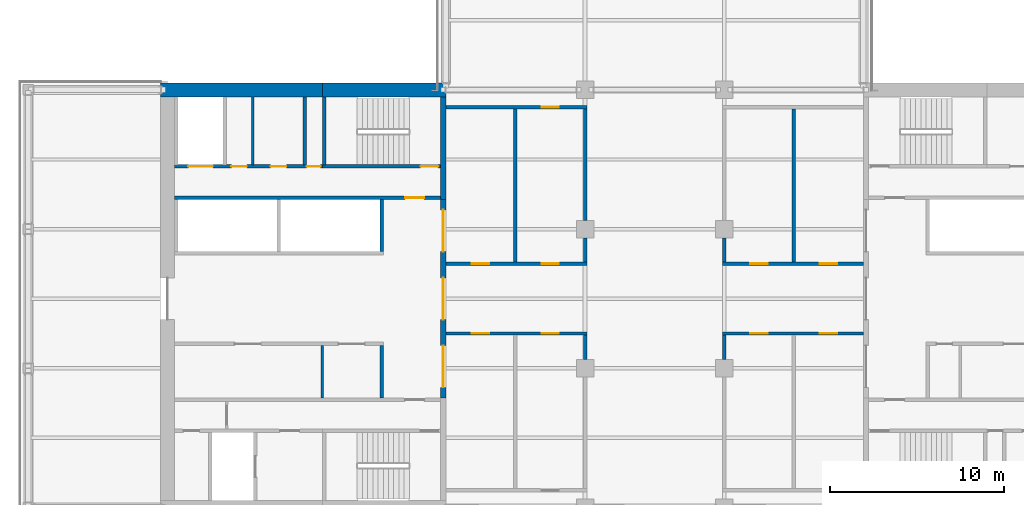
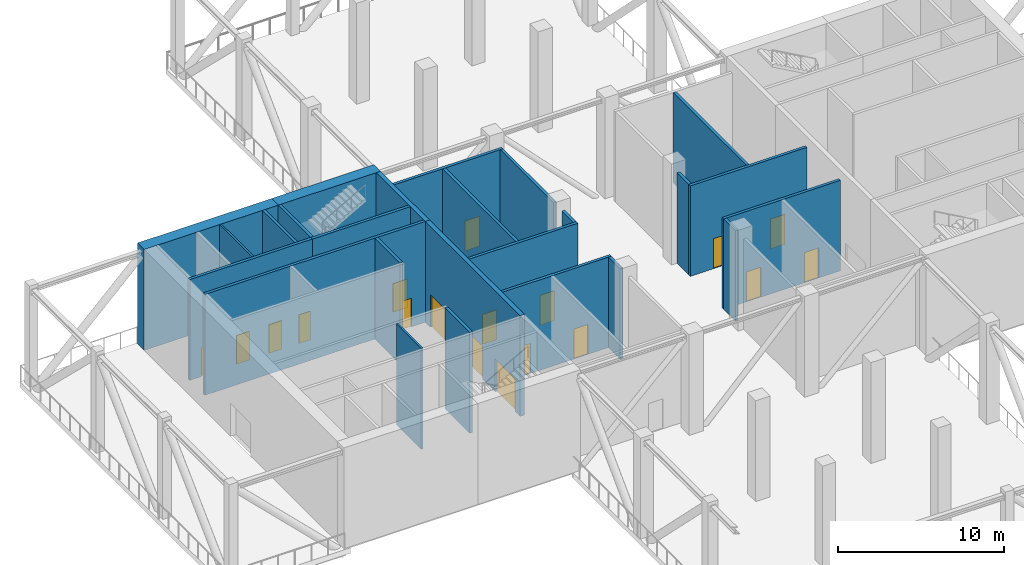
# One storey, part 5 of 18: 25 walls, 18 doors, 18 openings.
"""IFC4 building model written with IfcOpenShell, lengths in metres."""

from ifc_helpers import new_model, si_unit, direction, frame, frame_2d, origin, place, context, subcontext, project, spatial, rectangle, extrude, material, layer, layer_set, constituent, constituent_set, type_object, element, fill, save


model = new_model("IFC4")

# Units and contexts
model_context = context("Model", 3, precision=1e-05, world=origin(), true_north=direction((0.0, 1.0)))
body_context = subcontext(model_context, "Body", "Model", "MODEL_VIEW")
ifc_project = project(units=[si_unit("LENGTHUNIT", "METRE"), si_unit("AREAUNIT", "SQUARE_METRE"), si_unit("VOLUMEUNIT", "CUBIC_METRE"), si_unit("PLANEANGLEUNIT", "RADIAN"), si_unit("MASSUNIT", "GRAM", prefix="KILO")], contexts=[model_context])

# Site, building, storey
site_placement = place(None, origin())
site = spatial("IfcSite", under=ifc_project, at=site_placement, CompositionType="ELEMENT")
building_placement = place(site_placement, origin())
building = spatial("IfcBuilding", under=site, at=building_placement, Name="Crosswind Convention Tower", CompositionType="ELEMENT")
storey_placement = place(building_placement, frame((0.0, 0.0, 105.300048828125)))
storey = spatial("IfcBuildingStorey", under=building, at=storey_placement, Name="L21", CompositionType="ELEMENT", Elevation=105.300048828125)

# Wall
ifc_material_1 = material(Name="Concrete blockwork", Category="masonry")
ifc_layer_1 = layer(ifc_material_1, 0.199951171875)
ifc_layer_set_1 = layer_set([ifc_layer_1], Name="Blockwork partition wall 200")
wall_type_1 = type_object("IfcWallType", Name="Blockwork partition wall 200", PredefinedType="PARTITIONING", material=ifc_layer_set_1)
wall_1_placement = place(storey_placement, frame((104.89990234375, 111.60009765625, 0.0), z_axis=(0.0, 0.0, 1.0), x_axis=(0.0, -1.0, 0.0)))
element("IfcWall", 1, at=wall_1_placement, inside=storey, type_object=wall_type_1, Name="Wall MRSE W L21", PredefinedType="PARTITIONING", context=body_context, shape_type="SweptSolid", body=[
    extrude(rectangle(XDim=3.900146484375, YDim=0.199951171875, at=frame_2d((1.9501953125, 0.0))), origin(), (0.0, 0.0, 1.0), 7.39990234375),
])

# Wall, openings, doors
ifc_layer_2 = layer(ifc_material_1, 0.199951171875)
ifc_layer_set_2 = layer_set([ifc_layer_2], Name="COMPARTMENT WALL 200")
wall_type_2 = type_object("IfcWallType", Name="COMPARTMENT WALL 200", PredefinedType="SOLIDWALL", material=ifc_layer_set_2)
wall_2_placement = place(storey_placement, frame((113.0, 98.0, 0.0), z_axis=(0.0, 0.0, 1.0), x_axis=(1.0, 0.0, 0.0)))
wall_2 = element("IfcWall", 2, at=wall_2_placement, inside=storey, type_object=wall_type_2, Name="Compartment Wall 3", PredefinedType="SOLIDWALL", context=body_context, shape_type="SweptSolid", body=[
    extrude(rectangle(XDim=8.10009765625, YDim=0.199951171875, at=frame_2d((4.050048828125, 0.0))), origin(), (0.0, 0.0, 1.0), 6.6396484375),
])
opening_1_placement = place(wall_2_placement, frame((1.5, 0.0, 0.0)))
opening_1 = element("IfcOpeningElement", 3, at=opening_1_placement, cuts=wall_2, Name="Opening 21.005", PredefinedType="OPENING", context=body_context, shape_type="SweptSolid", body=[
    extrude(rectangle(XDim=1.0, YDim=2.199951171875, at=frame_2d((0.5, 1.10009765625))), frame((0.0, 0.10986328125, 0.0), z_axis=(0.0, -1.0, 0.0), x_axis=(1.0, 0.0, 0.0)), (0.0, 0.0, 1.0), 0.219970703125),
])
opening_2_placement = place(wall_2_placement, frame((5.5, 0.0, 0.0)))
opening_2 = element("IfcOpeningElement", 4, at=opening_2_placement, cuts=wall_2, Name="Opening 21.006", PredefinedType="OPENING", context=body_context, shape_type="SweptSolid", body=[
    extrude(rectangle(XDim=1.0, YDim=2.199951171875, at=frame_2d((0.5, 1.10009765625))), frame((0.0, 0.10986328125, 0.0), z_axis=(0.0, -1.0, 0.0), x_axis=(1.0, 0.0, 0.0)), (0.0, 0.0, 1.0), 0.219970703125),
])
ifc_material_2 = material(Name="Steel fire door", Category="steel")
door_type_1 = type_object("IfcDoorType", Name="PLANT ROOM DOOR 1000X2200", OperationType="NOTDEFINED", PredefinedType="DOOR", material=ifc_material_2)
door_1_placement = place(opening_1_placement, frame((1.0, 0.0, 0.0), z_axis=(0.0, 0.0, 1.0), x_axis=(-1.0, 0.0, 0.0)))
door_1 = element("IfcDoor", 5, at=door_1_placement, inside=storey, type_object=door_type_1, Name="Door 21.005", ObjectType="D6", OperationType="SINGLE_SWING_LEFT", OverallHeight=2.199951171875, OverallWidth=1.0, PredefinedType="DOOR", context=body_context, shape_type="SweptSolid", body=[
    extrude(rectangle(XDim=1.0, YDim=2.199951171875, at=frame_2d((0.5, 1.10009765625))), frame((0.0, 0.02490234375, 0.0), z_axis=(0.0, -1.0, 0.0), x_axis=(1.0, 0.0, 0.0)), (0.0, 0.0, 1.0), 0.050048828125),
])
fill(opening_1, door_1)
door_2_placement = place(opening_2_placement, frame((1.0, 0.0, 0.0), z_axis=(0.0, 0.0, 1.0), x_axis=(-1.0, 0.0, 0.0)))
door_2 = element("IfcDoor", 6, at=door_2_placement, inside=storey, type_object=door_type_1, Name="Door 21.006", ObjectType="D6", OperationType="SINGLE_SWING_LEFT", OverallHeight=2.199951171875, OverallWidth=1.0, PredefinedType="DOOR", context=body_context, shape_type="SweptSolid", body=[
    extrude(rectangle(XDim=1.0, YDim=2.199951171875, at=frame_2d((0.5, 1.10009765625))), frame((0.0, 0.02490234375, 0.0), z_axis=(0.0, -1.0, 0.0), x_axis=(1.0, 0.0, 0.0)), (0.0, 0.0, 1.0), 0.050048828125),
])
fill(opening_2, door_2)

wall_3_placement = place(storey_placement, frame((128.89990234375, 98.0, 0.0), z_axis=(0.0, 0.0, 1.0), x_axis=(1.0, 0.0, 0.0)))
wall_3 = element("IfcWall", 7, at=wall_3_placement, inside=storey, type_object=wall_type_2, Name="Compartment Wall 4", PredefinedType="SOLIDWALL", context=body_context, shape_type="SweptSolid", body=[
    extrude(rectangle(XDim=8.10009765625, YDim=0.199951171875, at=frame_2d((4.050048828125, 0.0))), origin(), (0.0, 0.0, 1.0), 6.6396484375),
])
opening_3_placement = place(wall_3_placement, frame((1.60009765625, 0.0, 0.0)))
opening_3 = element("IfcOpeningElement", 8, at=opening_3_placement, cuts=wall_3, Name="Opening 21.007", PredefinedType="OPENING", context=body_context, shape_type="SweptSolid", body=[
    extrude(rectangle(XDim=1.0, YDim=2.199951171875, at=frame_2d((0.5, 1.10009765625))), frame((0.0, 0.10986328125, 0.0), z_axis=(0.0, -1.0, 0.0), x_axis=(1.0, 0.0, 0.0)), (0.0, 0.0, 1.0), 0.219970703125),
])
opening_4_placement = place(wall_3_placement, frame((5.60009765625, 0.0, 0.0)))
opening_4 = element("IfcOpeningElement", 9, at=opening_4_placement, cuts=wall_3, Name="Opening 21.008", PredefinedType="OPENING", context=body_context, shape_type="SweptSolid", body=[
    extrude(rectangle(XDim=1.0, YDim=2.199951171875, at=frame_2d((0.5, 1.10009765625))), frame((0.0, 0.10986328125, 0.0), z_axis=(0.0, -1.0, 0.0), x_axis=(1.0, 0.0, 0.0)), (0.0, 0.0, 1.0), 0.219970703125),
])
door_3_placement = place(opening_3_placement, frame((1.0, 0.0, 0.0), z_axis=(0.0, 0.0, 1.0), x_axis=(-1.0, 0.0, 0.0)))
door_3 = element("IfcDoor", 10, at=door_3_placement, inside=storey, type_object=door_type_1, Name="Door 21.007", ObjectType="D6", OperationType="SINGLE_SWING_LEFT", OverallHeight=2.199951171875, OverallWidth=1.0, PredefinedType="DOOR", context=body_context, shape_type="SweptSolid", body=[
    extrude(rectangle(XDim=1.0, YDim=2.199951171875, at=frame_2d((0.5, 1.10009765625))), frame((0.0, 0.02490234375, 0.0), z_axis=(0.0, -1.0, 0.0), x_axis=(1.0, 0.0, 0.0)), (0.0, 0.0, 1.0), 0.050048828125),
])
fill(opening_3, door_3)
door_4_placement = place(opening_4_placement, frame((1.0, 0.0, 0.0), z_axis=(0.0, 0.0, 1.0), x_axis=(-1.0, 0.0, 0.0)))
door_4 = element("IfcDoor", 11, at=door_4_placement, inside=storey, type_object=door_type_1, Name="Door 21.008", ObjectType="D6", OperationType="SINGLE_SWING_RIGHT", OverallHeight=2.199951171875, OverallWidth=1.0, PredefinedType="DOOR", context=body_context, shape_type="SweptSolid", body=[
    extrude(rectangle(XDim=1.0, YDim=2.199951171875, at=frame_2d((0.5, 1.10009765625))), frame((0.0, 0.02490234375, 0.0), z_axis=(0.0, -1.0, 0.0), x_axis=(1.0, 0.0, 0.0)), (0.0, 0.0, 1.0), 0.050048828125),
])
fill(opening_4, door_4)

wall_4_placement = place(storey_placement, frame((113.0, 102.0, 0.0), z_axis=(0.0, 0.0, 1.0), x_axis=(1.0, 0.0, 0.0)))
wall_4 = element("IfcWall", 12, at=wall_4_placement, inside=storey, type_object=wall_type_2, Name="Compartment Wall 5", PredefinedType="SOLIDWALL", context=body_context, shape_type="SweptSolid", body=[
    extrude(rectangle(XDim=8.10009765625, YDim=0.199951171875, at=frame_2d((4.050048828125, 0.0))), origin(), (0.0, 0.0, 1.0), 6.6396484375),
])
opening_5_placement = place(wall_4_placement, frame((1.5, 0.0, 0.0)))
opening_5 = element("IfcOpeningElement", 13, at=opening_5_placement, cuts=wall_4, Name="Opening 21.001", PredefinedType="OPENING", context=body_context, shape_type="SweptSolid", body=[
    extrude(rectangle(XDim=1.0, YDim=2.199951171875, at=frame_2d((0.5, 1.10009765625))), frame((0.0, 0.10986328125, 0.0), z_axis=(0.0, -1.0, 0.0), x_axis=(1.0, 0.0, 0.0)), (0.0, 0.0, 1.0), 0.219970703125),
])
opening_6_placement = place(wall_4_placement, frame((5.5, 0.0, 0.0)))
opening_6 = element("IfcOpeningElement", 14, at=opening_6_placement, cuts=wall_4, Name="Opening 21.002", PredefinedType="OPENING", context=body_context, shape_type="SweptSolid", body=[
    extrude(rectangle(XDim=1.0, YDim=2.199951171875, at=frame_2d((0.5, 1.10009765625))), frame((0.0, 0.10986328125, 0.0), z_axis=(0.0, -1.0, 0.0), x_axis=(1.0, 0.0, 0.0)), (0.0, 0.0, 1.0), 0.219970703125),
])
door_5_placement = place(opening_5_placement, origin())
door_5 = element("IfcDoor", 15, at=door_5_placement, inside=storey, type_object=door_type_1, Name="Door 21.001", ObjectType="D6", OperationType="SINGLE_SWING_RIGHT", OverallHeight=2.199951171875, OverallWidth=1.0, PredefinedType="DOOR", context=body_context, shape_type="SweptSolid", body=[
    extrude(rectangle(XDim=1.0, YDim=2.199951171875, at=frame_2d((0.5, 1.10009765625))), frame((0.0, 0.02490234375, 0.0), z_axis=(0.0, -1.0, 0.0), x_axis=(1.0, 0.0, 0.0)), (0.0, 0.0, 1.0), 0.050048828125),
])
fill(opening_5, door_5)
door_6_placement = place(opening_6_placement, origin())
door_6 = element("IfcDoor", 16, at=door_6_placement, inside=storey, type_object=door_type_1, Name="Door 21.002", ObjectType="D6", OperationType="SINGLE_SWING_RIGHT", OverallHeight=2.199951171875, OverallWidth=1.0, PredefinedType="DOOR", context=body_context, shape_type="SweptSolid", body=[
    extrude(rectangle(XDim=1.0, YDim=2.199951171875, at=frame_2d((0.5, 1.10009765625))), frame((0.0, 0.02490234375, 0.0), z_axis=(0.0, -1.0, 0.0), x_axis=(1.0, 0.0, 0.0)), (0.0, 0.0, 1.0), 0.050048828125),
])
fill(opening_6, door_6)

wall_5_placement = place(storey_placement, frame((128.89990234375, 102.0, 0.0), z_axis=(0.0, 0.0, 1.0), x_axis=(1.0, 0.0, 0.0)))
wall_5 = element("IfcWall", 17, at=wall_5_placement, inside=storey, type_object=wall_type_2, Name="Compartment Wall 6", PredefinedType="SOLIDWALL", context=body_context, shape_type="SweptSolid", body=[
    extrude(rectangle(XDim=8.10009765625, YDim=0.199951171875, at=frame_2d((4.050048828125, 0.0))), origin(), (0.0, 0.0, 1.0), 6.6396484375),
])
opening_7_placement = place(wall_5_placement, frame((1.60009765625, 0.0, 0.0)))
opening_7 = element("IfcOpeningElement", 18, at=opening_7_placement, cuts=wall_5, Name="Opening 21.003", PredefinedType="OPENING", context=body_context, shape_type="SweptSolid", body=[
    extrude(rectangle(XDim=1.0, YDim=2.199951171875, at=frame_2d((0.5, 1.10009765625))), frame((0.0, 0.10986328125, 0.0), z_axis=(0.0, -1.0, 0.0), x_axis=(1.0, 0.0, 0.0)), (0.0, 0.0, 1.0), 0.219970703125),
])
opening_8_placement = place(wall_5_placement, frame((5.60009765625, 0.0, 0.0)))
opening_8 = element("IfcOpeningElement", 19, at=opening_8_placement, cuts=wall_5, Name="Opening 21.004", PredefinedType="OPENING", context=body_context, shape_type="SweptSolid", body=[
    extrude(rectangle(XDim=1.0, YDim=2.199951171875, at=frame_2d((0.5, 1.10009765625))), frame((0.0, 0.10986328125, 0.0), z_axis=(0.0, -1.0, 0.0), x_axis=(1.0, 0.0, 0.0)), (0.0, 0.0, 1.0), 0.219970703125),
])
door_7_placement = place(opening_7_placement, origin())
door_7 = element("IfcDoor", 20, at=door_7_placement, inside=storey, type_object=door_type_1, Name="Door 21.003", ObjectType="D6", OperationType="SINGLE_SWING_RIGHT", OverallHeight=2.199951171875, OverallWidth=1.0, PredefinedType="DOOR", context=body_context, shape_type="SweptSolid", body=[
    extrude(rectangle(XDim=1.0, YDim=2.199951171875, at=frame_2d((0.5, 1.10009765625))), frame((0.0, 0.02490234375, 0.0), z_axis=(0.0, -1.0, 0.0), x_axis=(1.0, 0.0, 0.0)), (0.0, 0.0, 1.0), 0.050048828125),
])
fill(opening_7, door_7)
door_8_placement = place(opening_8_placement, origin())
door_8 = element("IfcDoor", 21, at=door_8_placement, inside=storey, type_object=door_type_1, Name="Door 21.004", ObjectType="D6", OperationType="SINGLE_SWING_LEFT", OverallHeight=2.199951171875, OverallWidth=1.0, PredefinedType="DOOR", context=body_context, shape_type="SweptSolid", body=[
    extrude(rectangle(XDim=1.0, YDim=2.199951171875, at=frame_2d((0.5, 1.10009765625))), frame((0.0, 0.02490234375, 0.0), z_axis=(0.0, -1.0, 0.0), x_axis=(1.0, 0.0, 0.0)), (0.0, 0.0, 1.0), 0.050048828125),
])
fill(opening_8, door_8)

# Wall, opening, door
wall_6_placement = place(storey_placement, frame((113.0, 111.0, 0.0), z_axis=(0.0, 0.0, 1.0), x_axis=(1.0, 0.0, 0.0)))
wall_6 = element("IfcWall", 22, at=wall_6_placement, inside=storey, type_object=wall_type_2, Name="Compartment Wall 7", PredefinedType="SOLIDWALL", context=body_context, shape_type="SweptSolid", body=[
    extrude(rectangle(XDim=8.10009765625, YDim=0.199951171875, at=frame_2d((4.050048828125, 0.0))), origin(), (0.0, 0.0, 1.0), 6.6396484375),
])
opening_9_placement = place(wall_6_placement, frame((5.5, 0.0, 0.0)))
opening_9 = element("IfcOpeningElement", 23, at=opening_9_placement, cuts=wall_6, Name="Opening 21.009", PredefinedType="OPENING", context=body_context, shape_type="SweptSolid", body=[
    extrude(rectangle(XDim=1.0, YDim=2.199951171875, at=frame_2d((0.5, 1.10009765625))), frame((0.0, 0.10986328125, 0.0), z_axis=(0.0, -1.0, 0.0), x_axis=(1.0, 0.0, 0.0)), (0.0, 0.0, 1.0), 0.219970703125),
])
door_9_placement = place(opening_9_placement, frame((1.0, 0.0, 0.0), z_axis=(0.0, 0.0, 1.0), x_axis=(-1.0, 0.0, 0.0)))
door_9 = element("IfcDoor", 24, at=door_9_placement, inside=storey, type_object=door_type_1, Name="Door 21.009", ObjectType="D6", OperationType="SINGLE_SWING_LEFT", OverallHeight=2.199951171875, OverallWidth=1.0, PredefinedType="DOOR", context=body_context, shape_type="SweptSolid", body=[
    extrude(rectangle(XDim=1.0, YDim=2.199951171875, at=frame_2d((0.5, 1.10009765625))), frame((0.0, 0.02490234375, 0.0), z_axis=(0.0, -1.0, 0.0), x_axis=(1.0, 0.0, 0.0)), (0.0, 0.0, 1.0), 0.050048828125),
])
fill(opening_9, door_9)

# Walls
wall_7_placement = place(storey_placement, frame((117.0, 102.10009765625, 0.0), z_axis=(0.0, 0.0, 1.0), x_axis=(0.0, 1.0, 0.0)))
element("IfcWall", 25, at=wall_7_placement, inside=storey, type_object=wall_type_2, Name="Compartment Wall 10", PredefinedType="SOLIDWALL", context=body_context, shape_type="SweptSolid", body=[
    extrude(rectangle(XDim=8.7998046875, YDim=0.199951171875, at=frame_2d((4.39990234375, 0.0))), origin(), (0.0, 0.0, 1.0), 6.63623046875),
])
for number, where, z_axis, x_axis, name in (
    (26, (121.0, 96.5, 0.0), (0.0, 0.0, 1.0), (0.0, 1.0, 0.0), "Compartment Wall 12"),
    (27, (121.0, 102.10009765625, 0.0), (0.0, 0.0, 1.0), (0.0, 1.0, 0.0), "Compartment Wall 13"),
):
    element("IfcWall", number, at=place(storey_placement, frame(where, z_axis=z_axis, x_axis=x_axis)), inside=storey, type_object=wall_type_2, Name=name, PredefinedType="SOLIDWALL", context=body_context, shape_type="SweptSolid", body=[
        extrude(rectangle(XDim=1.39990234375, YDim=0.199951171875, at=frame_2d((0.699951171875, 0.0))), origin(), (0.0, 0.0, 1.0), 6.6396484375),
    ])
wall_8_placement = place(storey_placement, frame((121.0, 104.5, 0.0), z_axis=(0.0, 0.0, 1.0), x_axis=(0.0, 1.0, 0.0)))
element("IfcWall", 28, at=wall_8_placement, inside=storey, type_object=wall_type_2, Name="Compartment Wall 14", PredefinedType="SOLIDWALL", context=body_context, shape_type="SweptSolid", body=[
    extrude(rectangle(XDim=6.39990234375, YDim=0.199951171875, at=frame_2d((3.199951171875, 0.0))), origin(), (0.0, 0.0, 1.0), 6.6396484375),
])
for number, where, z_axis, x_axis, name in (
    (29, (129.0, 96.5, 0.0), (0.0, 0.0, 1.0), (0.0, 1.0, 0.0), "Compartment Wall 16"),
    (30, (129.0, 102.10009765625, 0.0), (0.0, 0.0, 1.0), (0.0, 1.0, 0.0), "Compartment Wall 17"),
):
    element("IfcWall", number, at=place(storey_placement, frame(where, z_axis=z_axis, x_axis=x_axis)), inside=storey, type_object=wall_type_2, Name=name, PredefinedType="SOLIDWALL", context=body_context, shape_type="SweptSolid", body=[
        extrude(rectangle(XDim=1.39990234375, YDim=0.199951171875, at=frame_2d((0.699951171875, 0.0))), origin(), (0.0, 0.0, 1.0), 6.6396484375),
    ])
wall_9_placement = place(storey_placement, frame((133.0, 102.10009765625, 0.0), z_axis=(0.0, 0.0, 1.0), x_axis=(0.0, 1.0, 0.0)))
element("IfcWall", 31, at=wall_9_placement, inside=storey, type_object=wall_type_2, Name="Compartment Wall 20", PredefinedType="SOLIDWALL", context=body_context, shape_type="SweptSolid", body=[
    extrude(rectangle(XDim=8.7998046875, YDim=0.199951171875, at=frame_2d((4.39990234375, 0.0))), origin(), (0.0, 0.0, 1.0), 6.63623046875),
])

# Wall, openings, doors
ifc_material_3 = material(Name="Concrete C50/60", Category="concrete")
ifc_layer_3 = layer(ifc_material_3, 0.300048828125)
ifc_layer_set_3 = layer_set([ifc_layer_3], Name="Concrete C50/60")
wall_type_3 = type_object("IfcWallType", Name="Concrete inner core wall 300", PredefinedType="SHEAR", material=ifc_layer_set_3)
wall_10_placement = place(storey_placement, frame((112.85009765625, 105.699951171875, 0.0), z_axis=(0.0, 0.0, 1.0), x_axis=(0.0, -1.0, 0.0)))
wall_10 = element("IfcWall", 32, at=wall_10_placement, inside=storey, type_object=wall_type_3, Name="Wall SCR W L21", PredefinedType="SHEAR", context=body_context, shape_type="SweptSolid", body=[
    extrude(rectangle(XDim=11.39990234375, YDim=0.300048828125, at=frame_2d((5.699951171875, 0.0))), origin(), (0.0, 0.0, 1.0), 7.39990234375),
])
opening_10_placement = place(wall_10_placement, frame((0.60009765625, 0.0, 0.0)))
opening_10 = element("IfcOpeningElement", 33, at=opening_10_placement, cuts=wall_10, Name="Opening D100", PredefinedType="OPENING", context=body_context, shape_type="SweptSolid", body=[
    extrude(rectangle(XDim=2.39990234375, YDim=2.39990234375, at=frame_2d((1.199951171875, 1.199951171875))), frame((0.0, 0.159912109375, 0.0), z_axis=(0.0, -1.0, 0.0), x_axis=(1.0, 0.0, 0.0)), (0.0, 0.0, 1.0), 0.320068359375),
])
opening_11_placement = place(wall_10_placement, frame((4.5, 0.0, 0.0)))
opening_11 = element("IfcOpeningElement", 34, at=opening_11_placement, cuts=wall_10, Name="Opening D100", PredefinedType="OPENING", context=body_context, shape_type="SweptSolid", body=[
    extrude(rectangle(XDim=2.39990234375, YDim=2.39990234375, at=frame_2d((1.199951171875, 1.199951171875))), frame((0.0, 0.159912109375, 0.0), z_axis=(0.0, -1.0, 0.0), x_axis=(1.0, 0.0, 0.0)), (0.0, 0.0, 1.0), 0.320068359375),
])
opening_12_placement = place(wall_10_placement, frame((8.39990234375, 0.0, 0.0)))
opening_12 = element("IfcOpeningElement", 35, at=opening_12_placement, cuts=wall_10, Name="Opening D100", PredefinedType="OPENING", context=body_context, shape_type="SweptSolid", body=[
    extrude(rectangle(XDim=2.39990234375, YDim=2.39990234375, at=frame_2d((1.199951171875, 1.199951171875))), frame((0.0, 0.159912109375, 0.0), z_axis=(0.0, -1.0, 0.0), x_axis=(1.0, 0.0, 0.0)), (0.0, 0.0, 1.0), 0.320068359375),
])
ifc_material_4 = material(Name="Steel fire door with glazed vision panels", Category="steel")
door_type_2 = type_object("IfcDoorType", Name="Fire-rated double door 2400x2400", OperationType="DOUBLE_DOOR_SINGLE_SWING", PredefinedType="DOOR", material=ifc_material_4)
door_10_placement = place(opening_10_placement, origin())
door_10 = element("IfcDoor", 36, at=door_10_placement, inside=storey, type_object=door_type_2, Name="Lobby door 1 L21", ObjectType="D100", OperationType="DOUBLE_DOOR_SINGLE_SWING", OverallHeight=2.39990234375, OverallWidth=2.39990234375, PredefinedType="DOOR", context=body_context, shape_type="SweptSolid", body=[
    extrude(rectangle(XDim=2.39990234375, YDim=2.39990234375, at=frame_2d((1.199951171875, 1.199951171875))), frame((0.0, 0.02490234375, 0.0), z_axis=(0.0, -1.0, 0.0), x_axis=(1.0, 0.0, 0.0)), (0.0, 0.0, 1.0), 0.050048828125),
])
fill(opening_10, door_10)
door_11_placement = place(opening_11_placement, origin())
door_11 = element("IfcDoor", 37, at=door_11_placement, inside=storey, type_object=door_type_2, Name="Lobby door 2 L21", ObjectType="D100", OperationType="DOUBLE_DOOR_SINGLE_SWING", OverallHeight=2.39990234375, OverallWidth=2.39990234375, PredefinedType="DOOR", context=body_context, shape_type="SweptSolid", body=[
    extrude(rectangle(XDim=2.39990234375, YDim=2.39990234375, at=frame_2d((1.199951171875, 1.199951171875))), frame((0.0, 0.02490234375, 0.0), z_axis=(0.0, -1.0, 0.0), x_axis=(1.0, 0.0, 0.0)), (0.0, 0.0, 1.0), 0.050048828125),
])
fill(opening_11, door_11)
door_12_placement = place(opening_12_placement, origin())
door_12 = element("IfcDoor", 38, at=door_12_placement, inside=storey, type_object=door_type_2, Name="Lobby door 3 L21", ObjectType="D100", OperationType="DOUBLE_DOOR_SINGLE_SWING", OverallHeight=2.39990234375, OverallWidth=2.39990234375, PredefinedType="DOOR", context=body_context, shape_type="SweptSolid", body=[
    extrude(rectangle(XDim=2.39990234375, YDim=2.39990234375, at=frame_2d((1.199951171875, 1.199951171875))), frame((0.0, 0.02490234375, 0.0), z_axis=(0.0, -1.0, 0.0), x_axis=(1.0, 0.0, 0.0)), (0.0, 0.0, 1.0), 0.050048828125),
])
fill(opening_12, door_12)

# Walls
wall_11_placement = place(storey_placement, frame((112.85009765625, 111.60009765625, 0.0), z_axis=(0.0, 0.0, 1.0), x_axis=(0.0, -1.0, 0.0)))
element("IfcWall", 39, at=wall_11_placement, inside=storey, type_object=wall_type_3, Name="Wall EM W L21", PredefinedType="SHEAR", context=body_context, shape_type="SweptSolid", body=[
    extrude(rectangle(XDim=5.900146484375, YDim=0.300048828125, at=frame_2d((2.9501953125, 0.0))), origin(), (0.0, 0.0, 1.0), 7.39990234375),
])
ifc_layer_4 = layer(ifc_material_3, 0.199951171875)
ifc_layer_set_4 = layer_set([ifc_layer_4], Name="Concrete C50/60")
wall_type_4 = type_object("IfcWallType", Name="Concrete shaft and stair wall 200", PredefinedType="SHEAR", material=ifc_layer_set_4)
for number, where, z_axis, x_axis, name in (
    (40, (109.300048828125, 97.300048828125, 0.0), (0.0, 0.0, 1.0), (0.0, -1.0, 0.0), "Wall RPEND W L21"),
    (41, (109.300048828125, 105.699951171875, 0.0), (0.0, 0.0, 1.0), (0.0, -1.0, 0.0), "Wall RMEND W L21"),
):
    element("IfcWall", number, at=place(storey_placement, frame(where, z_axis=z_axis, x_axis=x_axis)), inside=storey, type_object=wall_type_4, Name=name, PredefinedType="SHEAR", context=body_context, shape_type="SweptSolid", body=[
        extrude(rectangle(XDim=3.0, YDim=0.199951171875, at=frame_2d((1.5, 0.0))), origin(), (0.0, 0.0, 1.0), 7.39990234375),
    ])

# Wall, opening, door
wall_12_placement = place(storey_placement, frame((112.699951171875, 105.800048828125, 0.0), z_axis=(0.0, 0.0, 1.0), x_axis=(-1.0, 0.0, 0.0)))
wall_12 = element("IfcWall", 42, at=wall_12_placement, inside=storey, type_object=wall_type_4, Name="Wall HM W L21", PredefinedType="SHEAR", context=body_context, shape_type="SweptSolid", body=[
    extrude(rectangle(XDim=15.300048828125, YDim=0.199951171875, at=frame_2d((7.64990234375, 0.0))), origin(), (0.0, 0.0, 1.0), 7.39990234375),
])
opening_13_placement = place(wall_12_placement, frame((0.949951171875, 0.0, 0.0)))
opening_13 = element("IfcOpeningElement", 43, at=opening_13_placement, cuts=wall_12, Name="Opening D104", PredefinedType="OPENING", context=body_context, shape_type="SweptSolid", body=[
    extrude(rectangle(XDim=1.10009765625, YDim=2.10009765625, at=frame_2d((0.550048828125, 1.050048828125))), frame((0.0, 0.10986328125, 0.0), z_axis=(0.0, -1.0, 0.0), x_axis=(1.0, 0.0, 0.0)), (0.0, 0.0, 1.0), 0.219970703125),
])
door_type_3 = type_object("IfcDoorType", Name="Fire-rated single door 1100x2100", OperationType="NOTDEFINED", PredefinedType="DOOR", material=ifc_material_2)
door_13_placement = place(opening_13_placement, origin())
door_13 = element("IfcDoor", 44, at=door_13_placement, inside=storey, type_object=door_type_3, Name="Corridor door L21", ObjectType="D104", OperationType="SINGLE_SWING_LEFT", OverallHeight=2.10009765625, OverallWidth=1.10009765625, PredefinedType="DOOR", context=body_context, shape_type="SweptSolid", body=[
    extrude(rectangle(XDim=1.10009765625, YDim=2.10009765625, at=frame_2d((0.550048828125, 1.050048828125))), frame((0.0, 0.02490234375, 0.0), z_axis=(0.0, -1.0, 0.0), x_axis=(1.0, 0.0, 0.0)), (0.0, 0.0, 1.0), 0.050048828125),
])
fill(opening_13, door_13)

# Wall
wall_13_placement = place(storey_placement, frame((106.0, 111.60009765625, 0.0), z_axis=(0.0, 0.0, 1.0), x_axis=(0.0, -1.0, 0.0)))
element("IfcWall", 45, at=wall_13_placement, inside=storey, type_object=wall_type_4, Name="Wall MSE W L21", PredefinedType="SHEAR", context=body_context, shape_type="SweptSolid", body=[
    extrude(rectangle(XDim=3.900146484375, YDim=0.199951171875, at=frame_2d((1.9501953125, 0.0))), origin(), (0.0, 0.0, 1.0), 7.39990234375),
])

# Wall, opening, door
wall_14_placement = place(storey_placement, frame((112.699951171875, 107.60009765625, 0.0), z_axis=(0.0, 0.0, 1.0), x_axis=(-1.0, 0.0, 0.0)))
wall_14 = element("IfcWall", 46, at=wall_14_placement, inside=storey, type_object=wall_type_4, Name="Wall MCW W L21", PredefinedType="SHEAR", context=body_context, shape_type="SweptSolid", body=[
    extrude(rectangle(XDim=6.800048828125, YDim=0.199951171875, at=frame_2d((3.39990234375, 0.0))), origin(), (0.0, 0.0, 1.0), 7.39990234375),
])
opening_14_placement = place(wall_14_placement, frame((0.14990234375, 0.0, 0.0)))
opening_14 = element("IfcOpeningElement", 47, at=opening_14_placement, cuts=wall_14, Name="Opening D103", PredefinedType="OPENING", context=body_context, shape_type="SweptSolid", body=[
    extrude(rectangle(XDim=1.0, YDim=2.10009765625, at=frame_2d((0.5, 1.050048828125))), frame((0.0, 0.10986328125, 0.0), z_axis=(0.0, -1.0, 0.0), x_axis=(1.0, 0.0, 0.0)), (0.0, 0.0, 1.0), 0.219970703125),
])
door_type_4 = type_object("IfcDoorType", Name="Fire-rated single door 1000x2100", OperationType="NOTDEFINED", PredefinedType="DOOR", material=ifc_material_2)
door_14_placement = place(opening_14_placement, frame((1.0, 0.0, 0.0), z_axis=(0.0, 0.0, 1.0), x_axis=(-1.0, 0.0, 0.0)))
door_14 = element("IfcDoor", 48, at=door_14_placement, inside=storey, type_object=door_type_4, Name="Stair ST4 door L21", ObjectType="D103", OperationType="SINGLE_SWING_RIGHT", OverallHeight=2.10009765625, OverallWidth=1.0, PredefinedType="DOOR", context=body_context, shape_type="SweptSolid", body=[
    extrude(rectangle(XDim=1.0, YDim=2.10009765625, at=frame_2d((0.5, 1.050048828125))), frame((0.0, 0.02490234375, 0.0), z_axis=(0.0, -1.0, 0.0), x_axis=(1.0, 0.0, 0.0)), (0.0, 0.0, 1.0), 0.050048828125),
])
fill(opening_14, door_14)

# Wall, openings, doors
wall_15_placement = place(storey_placement, frame((105.89990234375, 107.60009765625, 0.0), z_axis=(0.0, 0.0, 1.0), x_axis=(-1.0, 0.0, 0.0)))
wall_15 = element("IfcWall", 49, at=wall_15_placement, inside=storey, type_object=wall_type_4, Name="Wall MCX W L21", PredefinedType="SHEAR", context=body_context, shape_type="SweptSolid", body=[
    extrude(rectangle(XDim=8.5, YDim=0.199951171875, at=frame_2d((4.25, 0.0))), origin(), (0.0, 0.0, 1.0), 7.39990234375),
])
opening_15_placement = place(wall_15_placement, frame((0.10009765625, 0.0, 0.0)))
opening_15 = element("IfcOpeningElement", 50, at=opening_15_placement, cuts=wall_15, Name="Opening D105", PredefinedType="OPENING", context=body_context, shape_type="SweptSolid", body=[
    extrude(rectangle(XDim=0.800048828125, YDim=2.10009765625, at=frame_2d((0.39990234375, 1.050048828125))), frame((0.0, 0.10986328125, 0.0), z_axis=(0.0, -1.0, 0.0), x_axis=(1.0, 0.0, 0.0)), (0.0, 0.0, 1.0), 0.219970703125),
])
opening_16_placement = place(wall_15_placement, frame((2.07080078125, 0.0, 0.0)))
opening_16 = element("IfcOpeningElement", 51, at=opening_16_placement, cuts=wall_15, Name="Opening D106", PredefinedType="OPENING", context=body_context, shape_type="SweptSolid", body=[
    extrude(rectangle(XDim=0.89990234375, YDim=2.10009765625, at=frame_2d((0.449951171875, 1.050048828125))), frame((0.0, 0.10986328125, 0.0), z_axis=(0.0, -1.0, 0.0), x_axis=(1.0, 0.0, 0.0)), (0.0, 0.0, 1.0), 0.219970703125),
])
opening_17_placement = place(wall_15_placement, frame((4.333251953125, 0.0, 0.0)))
opening_17 = element("IfcOpeningElement", 52, at=opening_17_placement, cuts=wall_15, Name="Opening D106", PredefinedType="OPENING", context=body_context, shape_type="SweptSolid", body=[
    extrude(rectangle(XDim=0.89990234375, YDim=2.10009765625, at=frame_2d((0.449951171875, 1.050048828125))), frame((0.0, 0.10986328125, 0.0), z_axis=(0.0, -1.0, 0.0), x_axis=(1.0, 0.0, 0.0)), (0.0, 0.0, 1.0), 0.219970703125),
])
opening_18_placement = place(wall_15_placement, frame((6.300048828125, 0.0, 0.0)))
opening_18 = element("IfcOpeningElement", 53, at=opening_18_placement, cuts=wall_15, Name="Opening LD2", PredefinedType="OPENING", context=body_context, shape_type="SweptSolid", body=[
    extrude(rectangle(XDim=1.39990234375, YDim=2.10009765625, at=frame_2d((0.699951171875, 1.050048828125))), frame((0.0, 0.10986328125, 0.0), z_axis=(0.0, -1.0, 0.0), x_axis=(1.0, 0.0, 0.0)), (0.0, 0.0, 1.0), 0.219970703125),
])
ifc_material_5 = material(Name="Stainless steel", Category="steel")
door_type_5 = type_object("IfcDoorType", Name="Lift landing door 1400x2100", OperationType="DOUBLE_DOOR_SLIDING", PredefinedType="DOOR", material=ifc_material_5)
door_15_placement = place(opening_18_placement, origin())
door_15 = element("IfcDoor", 54, at=door_15_placement, inside=storey, type_object=door_type_5, Name="Landing door SV2 L21", ObjectType="LD2", OperationType="DOUBLE_DOOR_SLIDING", OverallHeight=2.10009765625, OverallWidth=1.39990234375, PredefinedType="DOOR", context=body_context, shape_type="SweptSolid", body=[
    extrude(rectangle(XDim=1.39990234375, YDim=2.10009765625, at=frame_2d((0.699951171875, 1.050048828125))), frame((0.0, 0.02490234375, 0.0), z_axis=(0.0, -1.0, 0.0), x_axis=(1.0, 0.0, 0.0)), (0.0, 0.0, 1.0), 0.050048828125),
])
fill(opening_18, door_15)
door_type_6 = type_object("IfcDoorType", Name="Riser access door 800x2100", OperationType="NOTDEFINED", PredefinedType="DOOR", material=ifc_material_2)
door_16_placement = place(opening_15_placement, frame((0.800048828125, 0.0, 0.0), z_axis=(0.0, 0.0, 1.0), x_axis=(-1.0, 0.0, 0.0)))
door_16 = element("IfcDoor", 55, at=door_16_placement, inside=storey, type_object=door_type_6, Name="Riser door L21", ObjectType="D105", OperationType="SINGLE_SWING_LEFT", OverallHeight=2.10009765625, OverallWidth=0.800048828125, PredefinedType="DOOR", context=body_context, shape_type="SweptSolid", body=[
    extrude(rectangle(XDim=0.800048828125, YDim=2.10009765625, at=frame_2d((0.39990234375, 1.050048828125))), frame((0.0, 0.02490234375, 0.0), z_axis=(0.0, -1.0, 0.0), x_axis=(1.0, 0.0, 0.0)), (0.0, 0.0, 1.0), 0.050048828125),
])
fill(opening_15, door_16)
ifc_material_6 = material(Name="Timber door", Category="wood")
door_type_7 = type_object("IfcDoorType", Name="Single leaf door 900x2100", OperationType="NOTDEFINED", PredefinedType="DOOR", material=ifc_material_6)
door_17_placement = place(opening_16_placement, frame((0.89990234375, 0.0, 0.0), z_axis=(0.0, 0.0, 1.0), x_axis=(-1.0, 0.0, 0.0)))
door_17 = element("IfcDoor", 56, at=door_17_placement, inside=storey, type_object=door_type_7, Name="Door to pump room L21", ObjectType="D106", OperationType="SINGLE_SWING_LEFT", OverallHeight=2.10009765625, OverallWidth=0.89990234375, PredefinedType="DOOR", context=body_context, shape_type="SweptSolid", body=[
    extrude(rectangle(XDim=0.89990234375, YDim=2.10009765625, at=frame_2d((0.449951171875, 1.050048828125))), frame((0.0, 0.02490234375, 0.0), z_axis=(0.0, -1.0, 0.0), x_axis=(1.0, 0.0, 0.0)), (0.0, 0.0, 1.0), 0.050048828125),
])
fill(opening_16, door_17)
door_18_placement = place(opening_17_placement, frame((0.89990234375, 0.0, 0.0), z_axis=(0.0, 0.0, 1.0), x_axis=(-1.0, 0.0, 0.0)))
door_18 = element("IfcDoor", 57, at=door_18_placement, inside=storey, type_object=door_type_7, Name="Door to plant room L21", ObjectType="D106", OperationType="SINGLE_SWING_LEFT", OverallHeight=2.10009765625, OverallWidth=0.89990234375, PredefinedType="DOOR", context=body_context, shape_type="SweptSolid", body=[
    extrude(rectangle(XDim=0.89990234375, YDim=2.10009765625, at=frame_2d((0.449951171875, 1.050048828125))), frame((0.0, 0.02490234375, 0.0), z_axis=(0.0, -1.0, 0.0), x_axis=(1.0, 0.0, 0.0)), (0.0, 0.0, 1.0), 0.050048828125),
])
fill(opening_17, door_18)

# Walls
ifc_material_7 = material(Name="Gypsum plasterboard partition", Category="gypsum")
ifc_layer_5 = layer(ifc_material_7, 0.125)
ifc_layer_set_5 = layer_set([ifc_layer_5], Name="Drywall partition wall 125")
wall_type_5 = type_object("IfcWallType", Name="Drywall partition wall 125", PredefinedType="PARTITIONING", material=ifc_layer_set_5)
wall_16_placement = place(storey_placement, frame((105.89599609375, 97.300048828125, 0.0), z_axis=(0.0, 0.0, 1.0), x_axis=(0.0, -1.0, 0.0)))
element("IfcWall", 58, at=wall_16_placement, inside=storey, type_object=wall_type_5, Name="Wall RPP1 W L21", PredefinedType="PARTITIONING", context=body_context, shape_type="SweptSolid", body=[
    extrude(rectangle(XDim=3.0, YDim=0.125, at=frame_2d((1.5, 0.0))), origin(), (0.0, 0.0, 1.0), 7.39990234375),
])
wall_17_placement = place(storey_placement, frame((101.89599609375, 111.60009765625, 0.0), z_axis=(0.0, 0.0, 1.0), x_axis=(0.0, -1.0, 0.0)))
element("IfcWall", 59, at=wall_17_placement, inside=storey, type_object=wall_type_5, Name="Wall MWP1 W L21", PredefinedType="PARTITIONING", context=body_context, shape_type="SweptSolid", body=[
    extrude(rectangle(XDim=3.900146484375, YDim=0.125, at=frame_2d((1.9501953125, 0.0))), origin(), (0.0, 0.0, 1.0), 7.39990234375),
])
ifc_material_8 = material(Name="Concrete C60/75", Category="concrete")
ifc_constituent_1 = constituent(ifc_material_8, Name="Structure")
ifc_material_9 = material(Name="Terracotta rainscreen", Category="ceramic")
ifc_constituent_2 = constituent(ifc_material_9, Name="Facing")
ifc_constituent_set = constituent_set(constituents=[ifc_constituent_1, ifc_constituent_2], Name="Concrete C60/75, Terracotta rainscreen")
wall_type_6 = type_object("IfcWallType", Name="Terracotta rainscreen on concrete core wall 800", PredefinedType="SHEAR", material=ifc_constituent_set)
wall_18_placement = place(storey_placement, frame((113.0, 112.0, 0.0), z_axis=(0.0, 0.0, 1.0), x_axis=(-1.0, 0.0, 0.0)))
element("IfcWall", 60, at=wall_18_placement, inside=storey, type_object=wall_type_6, Name="Wall S1 W L21", PredefinedType="SHEAR", context=body_context, shape_type="SweptSolid", body=[
    extrude(rectangle(XDim=7.10009765625, YDim=0.800048828125, at=frame_2d((3.550048828125, 0.0))), origin(), (0.0, 0.0, 1.0), 7.39990234375),
])
wall_19_placement = place(storey_placement, frame((105.89990234375, 112.0, 0.0), z_axis=(0.0, 0.0, 1.0), x_axis=(-1.0, 0.0, 0.0)))
element("IfcWall", 61, at=wall_19_placement, inside=storey, type_object=wall_type_6, Name="Wall S2 W L21", PredefinedType="SHEAR", context=body_context, shape_type="SweptSolid", body=[
    extrude(rectangle(XDim=9.2998046875, YDim=0.800048828125, at=frame_2d((4.64990234375, 0.0))), origin(), (0.0, 0.0, 1.0), 7.39990234375),
])

save(model, "model.ifc")
